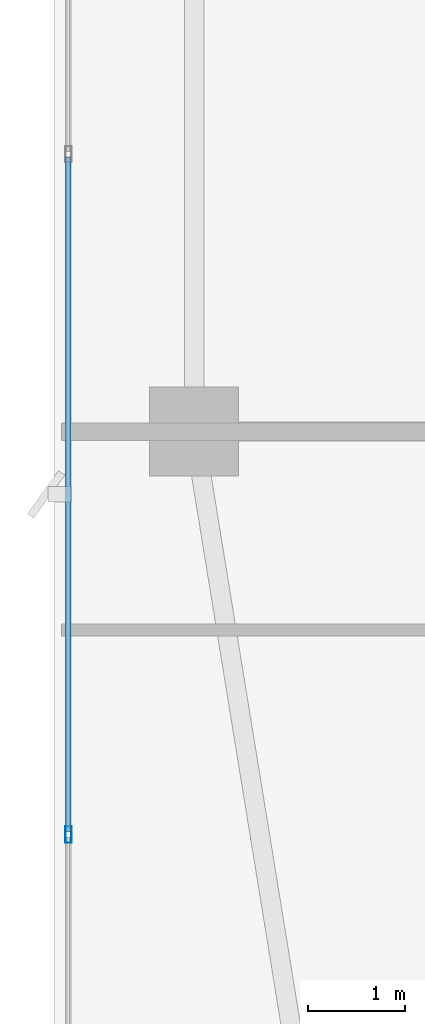
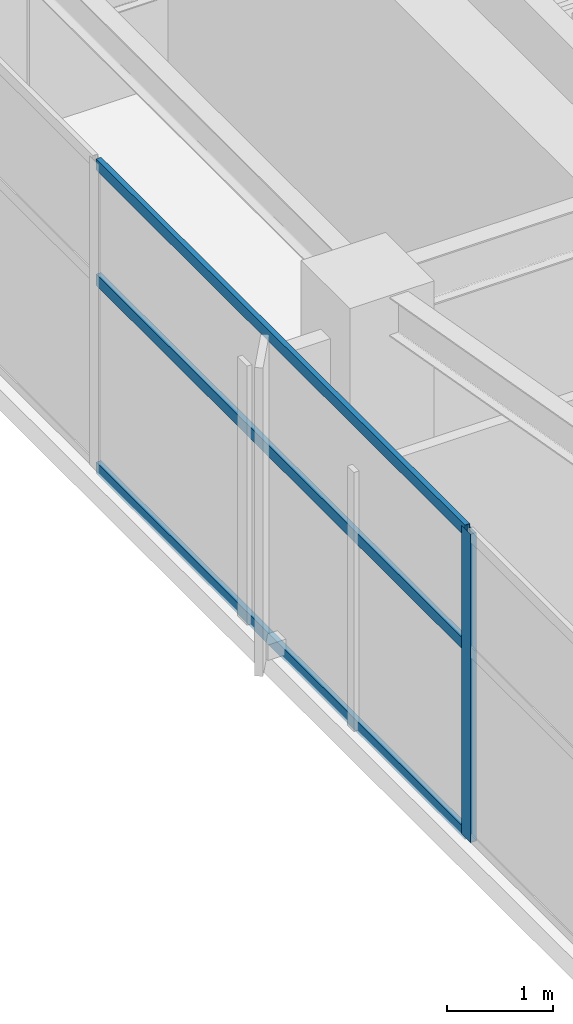
# One storey, part 5 of 27: 4 members, 1 element without a shape of its own.
"""IFC4 building model written with IfcOpenShell, lengths in metres."""

from ifc_helpers import new_model, si_unit, direction, frame, origin, origin_2d, place, context, subcontext, project, spatial, hollow_rectangle, extrude, material, layer, layer_set, material_profile, profile_set, type_object, element, aggregate, save


model = new_model("IFC4")

# Units and contexts
model_context = context("Model", 3, precision=1e-05, world=origin(), true_north=direction((0.0, 1.0)))
body_context = subcontext(model_context, "Body", "Model", "MODEL_VIEW")
ifc_project = project(units=[si_unit("LENGTHUNIT", "METRE"), si_unit("AREAUNIT", "SQUARE_METRE"), si_unit("VOLUMEUNIT", "CUBIC_METRE"), si_unit("PLANEANGLEUNIT", "RADIAN"), si_unit("MASSUNIT", "GRAM", prefix="KILO")], contexts=[model_context])

# Site, building, storey
site_placement = place(None, origin())
site = spatial("IfcSite", under=ifc_project, at=site_placement, CompositionType="ELEMENT")
building_placement = place(site_placement, origin())
building = spatial("IfcBuilding", under=site, at=building_placement, Name="Calvorn Quay Hotel", CompositionType="ELEMENT")
storey_placement = place(building_placement, frame((0.0, 0.0, 298.699951171875)))
storey = spatial("IfcBuildingStorey", under=building, at=storey_placement, Name="L74", CompositionType="ELEMENT", Elevation=298.699951171875)

# Curtain wall, members
ifc_material_1 = material(Name="Champagne Bronze Anodised Aluminium and Low-E Glass", Category="aluminium")
ifc_layer = layer(ifc_material_1, 0.219970703125)
ifc_layer_set = layer_set([ifc_layer], Name="CW-SYS-Z4")
curtain_wall_type = type_object("IfcCurtainWallType", Name="CW-SYS-Z4", PredefinedType="NOTDEFINED", material=ifc_layer_set)
curtain_wall_placement = place(storey_placement, origin())
curtain_wall = element("IfcCurtainWall", 1, at=curtain_wall_placement, inside=storey, type_object=curtain_wall_type, Name="Tower West Curtain Wall (L74)", PredefinedType="NOTDEFINED")
ifc_material_2 = material(Name="Champagne Bronze Anodised Aluminium 6063-T6", Category="aluminium")
ifc_material_profile_1 = material_profile(ifc_material_2, hollow_rectangle(XDim=0.06494140625, YDim=0.169921875, WallThickness=0.00341796875, at=origin_2d()), Name="ALU-M170x65x3.5")
ifc_profile_set_1 = profile_set([ifc_material_profile_1], Name="Champagne Bronze Anodised Aluminium 6063-T6")
member_type_1 = type_object("IfcMemberType", Name="CW-SYS-Z4-MUL", PredefinedType="MULLION", material=ifc_profile_set_1)
member_1_placement = place(storey_placement, frame((0.14990234375, 12.63330078125, 0.0), z_axis=(0.0, 0.0, 1.0), x_axis=(-1.0, 0.0, 0.0)))
member_1 = element("IfcMember", 2, at=member_1_placement, type_object=member_type_1, Name="CW-L74-W mullion 2", PredefinedType="MULLION", context=body_context, shape_type="SweptSolid", body=[
    extrude(hollow_rectangle(XDim=0.06494140625, YDim=0.169921875, WallThickness=0.00341796875, at=origin_2d()), origin(), (0.0, 0.0, 1.0), 3.56005859375),
])
ifc_material_3 = material(Name="Champagne Bronze Anodised Aluminium 6063-T6", Category="aluminium")
ifc_material_profile_2 = material_profile(ifc_material_3, hollow_rectangle(XDim=0.054931640625, YDim=0.1298828125, WallThickness=0.003173828125, at=origin_2d()), Name="ALU-T130x55x3.2")
ifc_profile_set_2 = profile_set([ifc_material_profile_2], Name="Champagne Bronze Anodised Aluminium 6063-T6")
member_type_2 = type_object("IfcMemberType", Name="CW-SYS-Z4-TRN", PredefinedType="USERDEFINED", material=ifc_profile_set_2)
member_2_placement = place(storey_placement, frame((0.14990234375, 12.663330078125, 0.030029296875), z_axis=(0.0, 1.0, 0.0), x_axis=(-1.0, 0.0, 0.0)))
member_2 = element("IfcMember", 3, at=member_2_placement, type_object=member_type_2, Name="CW-L74-W transom 2.1", ObjectType="TRANSOM", PredefinedType="USERDEFINED", context=body_context, shape_type="SweptSolid", body=[
    extrude(hollow_rectangle(XDim=0.054931640625, YDim=0.1298828125, WallThickness=0.003173828125, at=origin_2d()), origin(), (0.0, 0.0, 1.0), 6.973388671875),
])
member_3_placement = place(storey_placement, frame((0.14990234375, 12.663330078125, 2.199951171875), z_axis=(0.0, 1.0, 0.0), x_axis=(-1.0, 0.0, 0.0)))
member_3 = element("IfcMember", 4, at=member_3_placement, type_object=member_type_2, Name="CW-L74-W transom 2.2", ObjectType="TRANSOM", PredefinedType="USERDEFINED", context=body_context, shape_type="SweptSolid", body=[
    extrude(hollow_rectangle(XDim=0.054931640625, YDim=0.1298828125, WallThickness=0.003173828125, at=origin_2d()), origin(), (0.0, 0.0, 1.0), 6.973388671875),
])
member_4_placement = place(storey_placement, frame((0.14990234375, 12.663330078125, 3.530029296875), z_axis=(0.0, 1.0, 0.0), x_axis=(-1.0, 0.0, 0.0)))
member_4 = element("IfcMember", 5, at=member_4_placement, type_object=member_type_2, Name="CW-L74-W transom 2.3", ObjectType="TRANSOM", PredefinedType="USERDEFINED", context=body_context, shape_type="SweptSolid", body=[
    extrude(hollow_rectangle(XDim=0.054931640625, YDim=0.1298828125, WallThickness=0.003173828125, at=origin_2d()), origin(), (0.0, 0.0, 1.0), 6.973388671875),
])
aggregate(curtain_wall, [member_1, member_2, member_3, member_4])

save(model, "model.ifc")
